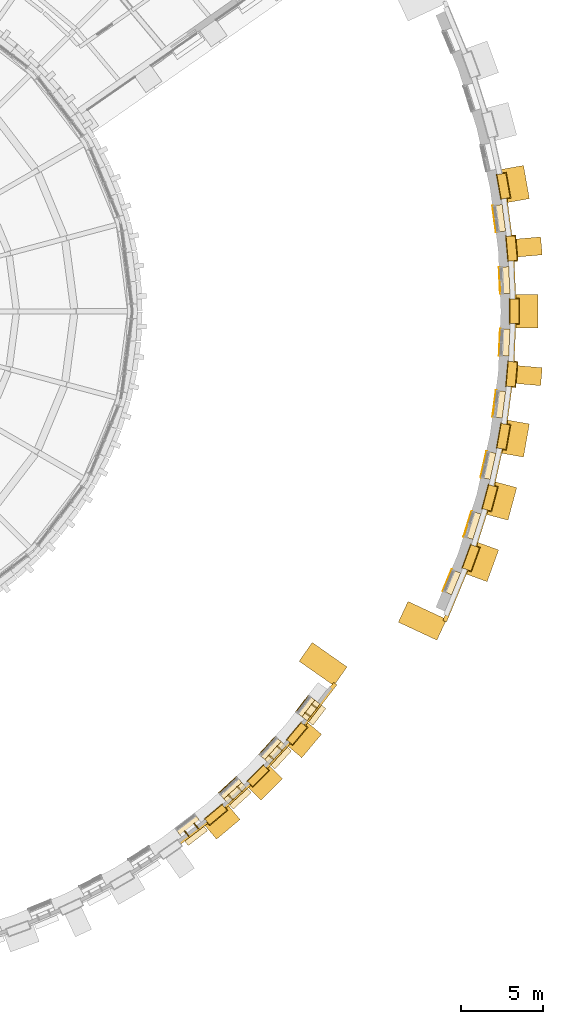
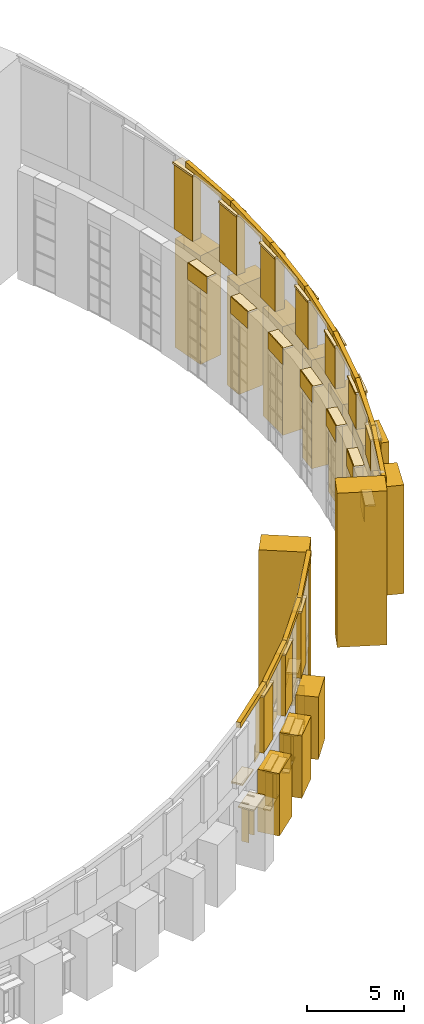
# One storey, part 71 of 82: 82 coverings.
"""IFC4 building model written with IfcOpenShell, lengths in metres."""

from ifc_helpers import new_model, si_unit, direction, frame, origin, origin_2d, place, context, subcontext, project, spatial, polyline, rectangle, outline, extrude, material, layer, layer_set, type_object, element, save


model = new_model("IFC4")

# Units and contexts
model_context = context("Model", 3, precision=1e-05, world=origin(), true_north=direction((0.0, 1.0)))
body_context = subcontext(model_context, "Body", "Model", "MODEL_VIEW")
ifc_project = project(units=[si_unit("LENGTHUNIT", "METRE"), si_unit("AREAUNIT", "SQUARE_METRE"), si_unit("VOLUMEUNIT", "CUBIC_METRE"), si_unit("PLANEANGLEUNIT", "RADIAN"), si_unit("MASSUNIT", "GRAM", prefix="KILO")], contexts=[model_context])

# Site, building, storey
site_placement = place(None, origin())
site = spatial("IfcSite", under=ifc_project, at=site_placement, CompositionType="ELEMENT")
building_placement = place(site_placement, origin())
building = spatial("IfcBuilding", under=site, at=building_placement, Name="Volute Hill Aquarium", CompositionType="ELEMENT")
storey_placement = place(building_placement, frame((0.0, 0.0, 13.800048828125)))
storey = spatial("IfcBuildingStorey", under=building, at=storey_placement, Name="L04", CompositionType="ELEMENT", Elevation=13.800048828125)

# Coverings
ifc_material_1 = material(Name="Precast concrete C40/50", Category="concrete")
covering_type_1 = type_object("IfcCoveringType", Name="Crown coping beam precast concrete C40/50 250x350", PredefinedType="CLADDING", material=ifc_material_1)
covering_1_placement = place(storey_placement, frame((23.0947265625, -32.972900390625, 8.21337890625), z_axis=(0.608722840707, -0.793382948645, 0.0), x_axis=(0.790637793813, 0.606616621446, 0.083115302927)))
element("IfcCovering", 1, at=covering_1_placement, inside=storey, type_object=covering_type_1, Name="Crown coping beam PCB S3 b06", PredefinedType="CLADDING", context=body_context, shape_type="SweptSolid", body=[
    extrude(outline(polyline([(0.0, 0.0), (3.5130977956807445, 0.0), (3.542196268433978, 0.348886296370569), (0.029098472753233424, 0.34888629637056895), (0.0, 0.0)])), origin(), (0.0, 0.0, -1.0), 0.25),
])
covering_2_placement = place(storey_placement, frame((25.880615234375, -30.834716796875, 8.50537109375), z_axis=(0.675648838997, -0.737223606758, 0.0), x_axis=(0.734672918988, 0.673311191078, 0.083112827385)))
element("IfcCovering", 2, at=covering_2_placement, inside=storey, type_object=covering_type_1, Name="Crown coping beam PCB S3 b07", PredefinedType="CLADDING", context=body_context, shape_type="SweptSolid", body=[
    extrude(outline(polyline([(0.0, 0.0), (3.513202434433606, -5.551115123125783e-17), (3.542300040505242, 0.3488863686540978), (0.029097606071635692, 0.34888636865409783), (0.0, 0.0)])), origin(), (0.0, 0.0, -1.0), 0.25),
])
covering_3_placement = place(storey_placement, frame((28.46923828125, -28.461669921875, 8.79736328125), z_axis=(0.73729017098, -0.67557620131, 0.0), x_axis=(0.673238824697, 0.734739274724, 0.083112472578)))
element("IfcCovering", 3, at=covering_3_placement, inside=storey, type_object=covering_type_1, Name="Crown coping beam PCB S3 b08", PredefinedType="CLADDING", context=body_context, shape_type="SweptSolid", body=[
    extrude(outline(polyline([(0.0, 0.0), (3.513217432258097, 0.0), (3.542294622981886, 0.3486430830731976), (0.029097481854789622, 0.34888637901393255), (0.0, 0.0)])), origin(), (0.0, 0.0, -1.0), 0.25),
])
covering_4_placement = place(storey_placement, frame((30.841552734375, -25.8720703125, 9.08935546875), z_axis=(0.793332823741, -0.608788165765, 0.0), x_axis=(0.606683661778, 0.790590372123, 0.083077060839)))
element("IfcCovering", 4, at=covering_4_placement, inside=storey, type_object=covering_type_1, Name="Crown coping beam PCB S3 beb", PredefinedType="CLADDING", context=body_context, shape_type="SweptSolid", body=[
    extrude(outline(polyline([(0.0, 0.0), (3.864423206984341, -5.551115123125783e-17), (3.893508291272279, 0.3488874127619205), (0.029064801802381204, 0.3486441161003013), (0.0, 0.0)])), origin(), (0.0, 0.0, -1.0), 0.25),
])
covering_5_placement = place(storey_placement, frame((41.4912109375, -15.095703125, 9.753173828125), z_axis=(0.953712266201, -0.300720656585, 0.0), x_axis=(0.299321345871, 0.949274460674, 0.096357304959)))
element("IfcCovering", 5, at=covering_5_placement, inside=storey, type_object=covering_type_1, Name="Crown coping beam PCB S4 b01", PredefinedType="CLADDING", context=body_context, shape_type="SweptSolid", body=[
    extrude(outline(polyline([(0.0, 0.0), (3.8588270192172422, -5.551115123125783e-17), (3.892561485845978, 0.3484685849155098), (0.033734466628735554, 0.3484685849155098), (0.0, 0.0)])), origin(), (0.0, 0.0, -1.0), 0.25),
])
covering_6_placement = place(storey_placement, frame((42.649169921875, -11.422119140625, 10.125), z_axis=(0.976296118921, -0.216439109638, 0.0), x_axis=(0.215430624988, 0.971747127518, 0.09642181277)))
element("IfcCovering", 6, at=covering_6_placement, inside=storey, type_object=covering_type_1, Name="Crown coping beam PCB S4 b02", PredefinedType="CLADDING", context=body_context, shape_type="SweptSolid", body=[
    extrude(outline(polyline([(0.0, 0.0), (3.858777405345246, 0.0), (3.892510915525829, 0.3482233948000459), (0.033757050662216306, 0.34846639786689865), (0.0, 0.0)])), origin(), (0.0, 0.0, -1.0), 0.25),
])
covering_7_placement = place(storey_placement, frame((43.482421875, -7.66162109375, 10.4970703125), z_axis=(0.991449102443, -0.130493974055, 0.0), x_axis=(0.129886785093, 0.986835885959, 0.096355369555)))
element("IfcCovering", 7, at=covering_7_placement, inside=storey, type_object=covering_type_1, Name="Crown coping beam PCB S4 b03", PredefinedType="CLADDING", context=body_context, shape_type="SweptSolid", body=[
    extrude(outline(polyline([(0.0, 0.0), (3.85890452803072, 5.551115123125783e-17), (3.89263831707895, 0.3484686505099027), (0.03371026478808461, 0.34822564587216914), (0.0, 0.0)])), origin(), (0.0, 0.0, -1.0), 0.25),
])
covering_8_placement = place(storey_placement, frame((43.984619140625, -3.842529296875, 10.868896484375), z_axis=(0.99904882823, -0.043605490626, 0.0), x_axis=(0.043402314989, 0.994393855212, 0.09642146945)))
element("IfcCovering", 8, at=covering_8_placement, inside=storey, type_object=covering_type_1, Name="Crown coping beam PCB S4 b04", PredefinedType="CLADDING", context=body_context, shape_type="SweptSolid", body=[
    extrude(outline(polyline([(0.0, 0.0), (3.85879114499166, 0.0), (3.892524535060404, 0.3482234064356417), (0.03375693046655849, 0.34846640951061425), (0.0, 0.0)])), origin(), (0.0, 0.0, -1.0), 0.25),
])
covering_9_placement = place(storey_placement, frame((44.152099609375, 0.00537109375, 11.240966796875), z_axis=(0.99904882823, 0.043605490626, 0.0), x_axis=(-0.043402579678, 0.994399919536, 0.096358788411)))
element("IfcCovering", 9, at=covering_9_placement, inside=storey, type_object=covering_type_1, Name="Crown coping beam PCB S4 b05", PredefinedType="CLADDING", context=body_context, shape_type="SweptSolid", body=[
    extrude(outline(polyline([(0.0, 0.0), (3.858767612245316, 0.0), (3.8925025982270456, 0.34846853463771404), (0.033711460886902536, 0.34822553008078394), (0.0, 0.0)])), origin(), (0.0, 0.0, -1.0), 0.25),
])
covering_10_placement = place(storey_placement, frame((43.983642578125, 3.853515625, 11.61279296875), z_axis=(0.991449102443, 0.130493974055, 0.0), x_axis=(-0.129885993037, 0.986829868191, 0.096418048412)))
element("IfcCovering", 10, at=covering_10_placement, inside=storey, type_object=covering_type_1, Name="Crown coping beam PCB S4 b06", PredefinedType="CLADDING", context=body_context, shape_type="SweptSolid", body=[
    extrude(outline(polyline([(0.0, 0.0), (3.8589280599421163, 5.551115123125783e-17), (3.8926602531485814, 0.34822352237701265), (0.03375573276906566, 0.3484665255328933), (0.0, 0.0)])), origin(), (0.0, 0.0, -1.0), 0.25),
])
covering_11_placement = place(storey_placement, frame((41.256591796875, -15.01025390625, 9.753173828125), z_axis=(-0.923888328569, 0.382662196114, 0.0), x_axis=(-0.380881293617, -0.919588570066, -0.096365460495)))
element("IfcCovering", 11, at=covering_11_placement, inside=storey, type_object=covering_type_1, Name="Crown coping beam PCB S4 bea", PredefinedType="CLADDING", context=body_context, shape_type="SweptSolid", body=[
    extrude(outline(polyline([(0.0, 0.0), (4.210655110928032, 0.0), (4.176941315789051, 0.3482253040956372), (-0.03373732186273442, 0.3484683084948665), (0.0, 0.0)])), origin(), (0.0, 0.0, -1.0), 0.25),
])
ifc_material_2 = material(Name="Aluminium, anodised", Category="aluminium")
ifc_layer_1 = layer(ifc_material_2, 0.080078125)
ifc_layer_set_1 = layer_set([ifc_layer_1], Name="Horizontal brise-soleil eyebrow 900x80")
covering_type_2 = type_object("IfcCoveringType", Name="Horizontal brise-soleil eyebrow 900x80", PredefinedType="CLADDING", material=ifc_layer_set_1)
for number, where, z_axis, x_axis, name in (
    (12, (24.418701171875, -31.8232421875, 2.405029296875), (0.0, 0.0, 1.0), (0.793365104798, 0.608746096898, 0.0), "Brise-soleil eyebrow BS S3 L04 7.1"),
    (13, (27.099365234375, -29.57373046875, 2.405029296875), (0.0, 0.0, 1.0), (0.737257204746, 0.675612177251, 0.0), "Brise-soleil eyebrow BS S3 L04 8.1"),
    (14, (29.57373046875, -27.099365234375, 2.417236328125), (0.0, 0.0, 1.0), (0.675612177251, 0.737257204746, 0.0), "Brise-soleil eyebrow BS S3 L04 9.1"),
):
    element("IfcCovering", number, at=place(storey_placement, frame(where, z_axis=z_axis, x_axis=x_axis)), inside=storey, type_object=covering_type_2, Name=name, PredefinedType="CLADDING", context=body_context, shape_type="SweptSolid", body=[
        extrude(rectangle(XDim=1.4892578125, YDim=0.89990234375, at=origin_2d()), origin(), (0.0, 0.0, 1.0), 0.080078125),
    ])
covering_12_placement = place(storey_placement, frame((31.76220703125, -24.498291015625, 2.4072265625), z_axis=(0.0, 0.0, 1.0), x_axis=(0.608746096898, 0.793365104798, 0.0)))
element("IfcCovering", 15, at=covering_12_placement, inside=storey, type_object=covering_type_2, Name="Brise-soleil eyebrow BS S3 L04 10.1", PredefinedType="CLADDING", context=body_context, shape_type="SweptSolid", body=[
    extrude(rectangle(XDim=1.2890625, YDim=0.89990234375, at=origin_2d()), origin(), (0.0, 0.0, 1.0), 0.080078125),
])
ifc_material_3 = material(Name="Precast concrete C40/50", Category="concrete")
ifc_layer_2 = layer(ifc_material_3, 0.10009765625)
ifc_layer_set_2 = layer_set([ifc_layer_2], Name="Niche cap precast concrete C40/50 100")
covering_type_3 = type_object("IfcCoveringType", Name="Niche cap precast concrete C40/50 100", PredefinedType="CLADDING", material=ifc_layer_set_2)
for number, where, z_axis, x_axis, name in (
    (16, (24.09912109375, -31.40673828125, 3.841796875), (0.0, 0.0, 1.0), (0.793365104798, 0.608746096898, 0.0), "Niche cap NC S3 L04 7"),
    (17, (26.74462890625, -29.186767578125, 3.841796875), (0.0, 0.0, 1.0), (0.737257204746, 0.675612177251, 0.0), "Niche cap NC S3 L04 8"),
    (18, (29.186767578125, -26.744873046875, 3.841796875), (0.0, 0.0, 1.0), (0.675612177251, 0.737257204746, 0.0), "Niche cap NC S3 L04 9"),
):
    element("IfcCovering", number, at=place(storey_placement, frame(where, z_axis=z_axis, x_axis=x_axis)), inside=storey, type_object=covering_type_3, Name=name, PredefinedType="CLADDING", context=body_context, shape_type="SweptSolid", body=[
        extrude(rectangle(XDim=1.4892578125, YDim=0.64990234375, at=origin_2d()), origin(), (0.0, 0.0, 1.0), 0.10009765625),
    ])
covering_13_placement = place(storey_placement, frame((31.345703125, -24.1787109375, 3.841796875), z_axis=(0.0, 0.0, 1.0), x_axis=(0.608746096898, 0.793365104798, 0.0)))
element("IfcCovering", 19, at=covering_13_placement, inside=storey, type_object=covering_type_3, Name="Niche cap NC S3 L04 10", PredefinedType="CLADDING", context=body_context, shape_type="SweptSolid", body=[
    extrude(rectangle(XDim=1.2890625, YDim=0.64990234375, at=origin_2d()), origin(), (0.0, 0.0, 1.0), 0.10009765625),
])
covering_14_placement = place(storey_placement, frame((40.211669921875, -16.5478515625, 6.76123046875), z_axis=(0.0, 0.0, 1.0), x_axis=(0.382695820162, 0.923874401221, 0.0)))
element("IfcCovering", 20, at=covering_14_placement, inside=storey, type_object=covering_type_3, Name="Niche cap NC S4 L04 1", PredefinedType="CLADDING", context=body_context, shape_type="SweptSolid", body=[
    extrude(rectangle(XDim=1.437255859375, YDim=0.550048828125, at=origin_2d()), origin(), (0.0, 0.0, 1.0), 0.10009765625),
])
for number, where, z_axis, x_axis, name in (
    (21, (41.470947265625, -13.07568359375, 6.76123046875), (0.0, 0.0, 1.0), (0.300712819287, 0.953714737391, 0.0), "Niche cap NC S4 L04 2"),
    (22, (42.45263671875, -9.41162109375, 6.76123046875), (0.0, 0.0, 1.0), (0.216435504842, 0.976296918076, 0.0), "Niche cap NC S4 L04 3"),
    (23, (43.111572265625, -5.67578125, 6.76123046875), (0.0, 0.0, 1.0), (0.130515650214, 0.991446249198, 0.0), "Niche cap NC S4 L04 4"),
    (24, (43.442138671875, -1.896728515625, 6.76123046875), (0.0, 0.0, 1.0), (0.04361956426, 0.999048213858, 0.0), "Niche cap NC S4 L04 5"),
    (25, (43.442138671875, 1.896728515625, 6.76123046875), (0.0, 0.0, 1.0), (-0.04361956426, 0.999048213858, 0.0), "Niche cap NC S4 L04 6"),
    (26, (43.111572265625, 5.67578125, 6.76123046875), (0.0, 0.0, 1.0), (-0.130515650214, 0.991446249198, 0.0), "Niche cap NC S4 L04 7"),
):
    element("IfcCovering", number, at=place(storey_placement, frame(where, z_axis=z_axis, x_axis=x_axis)), inside=storey, type_object=covering_type_3, Name=name, PredefinedType="CLADDING", context=body_context, shape_type="SweptSolid", body=[
        extrude(rectangle(XDim=1.637451171875, YDim=0.550048828125, at=origin_2d()), origin(), (0.0, 0.0, 1.0), 0.10009765625),
    ])
ifc_material_4 = material(Name="Zinc")
ifc_layer_3 = layer(ifc_material_4, 0.050048828125)
ifc_layer_set_3 = layer_set([ifc_layer_3], Name="Niche head cladding panel 50")
covering_type_4 = type_object("IfcCoveringType", Name="Niche head cladding panel 50", PredefinedType="CLADDING", material=ifc_layer_set_3)
covering_15_placement = place(storey_placement, frame((26.50830078125, -28.9287109375, 2.89501953125), z_axis=(0.0, 0.0, 1.0), x_axis=(0.737257204746, 0.675612177251, 0.0)))
element("IfcCovering", 27, at=covering_15_placement, inside=storey, type_object=covering_type_4, Name="Niche head cladding NF S3 L04 8", PredefinedType="CLADDING", context=body_context, shape_type="SweptSolid", body=[
    extrude(rectangle(XDim=1.4892578125, YDim=0.050048828125, at=origin_2d()), origin(), (0.0, 0.0, 1.0), 1.046875),
])
covering_16_placement = place(storey_placement, frame((28.9287109375, -26.50830078125, 2.9072265625), z_axis=(0.0, 0.0, 1.0), x_axis=(0.675612177251, 0.737257204746, 0.0)))
element("IfcCovering", 28, at=covering_16_placement, inside=storey, type_object=covering_type_4, Name="Niche head cladding NF S3 L04 9", PredefinedType="CLADDING", context=body_context, shape_type="SweptSolid", body=[
    extrude(rectangle(XDim=1.4892578125, YDim=0.050048828125, at=origin_2d()), origin(), (0.0, 0.0, 1.0), 1.034423828125),
])
covering_17_placement = place(storey_placement, frame((31.068115234375, -23.965576171875, 2.89697265625), z_axis=(0.0, 0.0, 1.0), x_axis=(0.608746096898, 0.793365104798, 0.0)))
element("IfcCovering", 29, at=covering_17_placement, inside=storey, type_object=covering_type_4, Name="Niche head cladding NF S3 L04 10", PredefinedType="CLADDING", context=body_context, shape_type="SweptSolid", body=[
    extrude(rectangle(XDim=1.2890625, YDim=0.050048828125, at=origin_2d()), origin(), (0.0, 0.0, 1.0), 1.044677734375),
])
covering_18_placement = place(storey_placement, frame((39.9345703125, -16.43310546875, 5.8125), z_axis=(0.0, 0.0, 1.0), x_axis=(0.382695820162, 0.923874401221, 0.0)))
element("IfcCovering", 30, at=covering_18_placement, inside=storey, type_object=covering_type_4, Name="Niche head cladding NF S4 L04 1", PredefinedType="CLADDING", context=body_context, shape_type="SweptSolid", body=[
    extrude(rectangle(XDim=1.437255859375, YDim=0.050048828125, at=origin_2d()), origin(), (0.0, 0.0, 1.0), 1.048583984375),
])
for number, where, z_axis, x_axis, name in (
    (31, (41.184814453125, -12.985595703125, 5.810302734375), (0.0, 0.0, 1.0), (0.300712819287, 0.953714737391, 0.0), "Niche head cladding NF S4 L04 2"),
    (32, (42.159912109375, -9.3466796875, 5.810302734375), (0.0, 0.0, 1.0), (0.216435504842, 0.976296918076, 0.0), "Niche head cladding NF S4 L04 3"),
    (33, (42.81396484375, -5.636474609375, 5.810302734375), (0.0, 0.0, 1.0), (0.130515650214, 0.991446249198, 0.0), "Niche head cladding NF S4 L04 4"),
    (34, (43.142333984375, -1.883544921875, 5.810302734375), (0.0, 0.0, 1.0), (0.04361956426, 0.999048213858, 0.0), "Niche head cladding NF S4 L04 5"),
    (35, (43.142333984375, 1.883544921875, 5.810302734375), (0.0, 0.0, 1.0), (-0.04361956426, 0.999048213858, 0.0), "Niche head cladding NF S4 L04 6"),
    (36, (42.81396484375, 5.636474609375, 5.810302734375), (0.0, 0.0, 1.0), (-0.130515650214, 0.991446249198, 0.0), "Niche head cladding NF S4 L04 7"),
):
    element("IfcCovering", number, at=place(storey_placement, frame(where, z_axis=z_axis, x_axis=x_axis)), inside=storey, type_object=covering_type_4, Name=name, PredefinedType="CLADDING", context=body_context, shape_type="SweptSolid", body=[
        extrude(rectangle(XDim=1.637451171875, YDim=0.050048828125, at=origin_2d()), origin(), (0.0, 0.0, 1.0), 1.05078125),
    ])
ifc_material_5 = material(Name="Precast concrete C40/50", Category="concrete")
ifc_layer_4 = layer(ifc_material_5, 0.1201171875)
ifc_layer_set_4 = layer_set([ifc_layer_4], Name="Pier crown coping precast concrete C40/50 1482x550")
covering_type_5 = type_object("IfcCoveringType", Name="Pier crown coping precast concrete C40/50 1482x550", PredefinedType="CLADDING", material=ifc_layer_set_4)
for number, where, z_axis, x_axis, name in (
    (37, (25.796142578125, -30.74267578125, 8.38525390625), (0.0, 0.0, 1.0), (0.766044443119, 0.642787609687, 0.0), "Pier crown coping PCC S3 7"),
    (38, (28.377197265625, -28.377197265625, 8.67724609375), (0.0, 0.0, 1.0), (0.707106781187, 0.707106781187, 0.0), "Pier crown coping PCC S3 8"),
    (39, (30.742431640625, -25.7958984375, 8.96923828125), (0.0, 0.0, 1.0), (0.642787609687, 0.766044443119, 0.0), "Pier crown coping PCC S3 9"),
):
    element("IfcCovering", number, at=place(storey_placement, frame(where, z_axis=z_axis, x_axis=x_axis)), inside=storey, type_object=covering_type_5, Name=name, PredefinedType="CLADDING", context=body_context, shape_type="SweptSolid", body=[
        extrude(rectangle(XDim=1.48193359375, YDim=0.550048828125, at=origin_2d()), origin(), (0.0, 0.0, 1.0), 0.1201171875),
    ])
ifc_material_6 = material(Name="Precast concrete C40/50", Category="concrete")
ifc_layer_5 = layer(ifc_material_6, 0.1201171875)
ifc_layer_set_5 = layer_set([ifc_layer_5], Name="Pier crown coping precast concrete C40/50 1619x650")
covering_type_6 = type_object("IfcCoveringType", Name="Pier crown coping precast concrete C40/50 1619x650", PredefinedType="CLADDING", material=ifc_layer_set_5)
for number, where, z_axis, x_axis, name in (
    (40, (41.3720703125, -15.05810546875, 9.633056640625), (0.0, 0.0, 1.0), (0.342020143326, 0.939692620786, 0.0), "Pier crown coping PCC S4 1"),
    (41, (42.527099609375, -11.39501953125, 10.005126953125), (0.0, 0.0, 1.0), (0.258819045103, 0.965925826289, 0.0), "Pier crown coping PCC S4 2"),
    (42, (43.3583984375, -7.645263671875, 10.376953125), (0.0, 0.0, 1.0), (0.173648177667, 0.984807753012, 0.0), "Pier crown coping PCC S4 3"),
    (43, (43.859619140625, -3.837158203125, 10.7490234375), (0.0, 0.0, 1.0), (0.087155742748, 0.996194698092, 0.0), "Pier crown coping PCC S4 4"),
    (44, (44.027099609375, 0.0, 11.120849609375), (0.0, 0.0, 1.0), (0.0, 1.0, 0.0), "Pier crown coping PCC S4 5"),
    (45, (43.859619140625, 3.837158203125, 11.49267578125), (0.0, 0.0, 1.0), (-0.087155742748, 0.996194698092, 0.0), "Pier crown coping PCC S4 6"),
    (46, (43.3583984375, 7.645263671875, 11.86474609375), (0.0, 0.0, 1.0), (-0.173648177667, 0.984807753012, 0.0), "Pier crown coping PCC S4 7"),
):
    element("IfcCovering", number, at=place(storey_placement, frame(where, z_axis=z_axis, x_axis=x_axis)), inside=storey, type_object=covering_type_6, Name=name, PredefinedType="CLADDING", context=body_context, shape_type="SweptSolid", body=[
        extrude(rectangle(XDim=1.619384765625, YDim=0.64990234375, at=origin_2d()), origin(), (0.0, 0.0, 1.0), 0.1201171875),
    ])
ifc_material_7 = material(Name="Precast concrete C40/50", Category="concrete")
covering_type_7 = type_object("IfcCoveringType", Name="Pier crown fin precast concrete C40/50 1382x450", PredefinedType="CLADDING", material=ifc_material_7)
covering_19_placement = place(storey_placement, frame((25.796142578125, -30.74267578125, 4.841796875), z_axis=(0.0, 0.0, 1.0), x_axis=(0.766044443119, 0.642787609687, 0.0)))
element("IfcCovering", 47, at=covering_19_placement, inside=storey, type_object=covering_type_7, Name="Pier crown fin PC S3 7", PredefinedType="CLADDING", context=body_context, shape_type="SweptSolid", body=[
    extrude(rectangle(XDim=1.3818359375, YDim=0.449951171875, at=origin_2d()), origin(), (0.0, 0.0, 1.0), 3.543701171875),
])
covering_20_placement = place(storey_placement, frame((28.377197265625, -28.377197265625, 4.841796875), z_axis=(0.0, 0.0, 1.0), x_axis=(0.707106781187, 0.707106781187, 0.0)))
element("IfcCovering", 48, at=covering_20_placement, inside=storey, type_object=covering_type_7, Name="Pier crown fin PC S3 8", PredefinedType="CLADDING", context=body_context, shape_type="SweptSolid", body=[
    extrude(rectangle(XDim=1.3818359375, YDim=0.449951171875, at=origin_2d()), origin(), (0.0, 0.0, 1.0), 3.83544921875),
])
covering_21_placement = place(storey_placement, frame((30.742431640625, -25.7958984375, 4.841796875), z_axis=(0.0, 0.0, 1.0), x_axis=(0.642787609687, 0.766044443119, 0.0)))
element("IfcCovering", 49, at=covering_21_placement, inside=storey, type_object=covering_type_7, Name="Pier crown fin PC S3 9", PredefinedType="CLADDING", context=body_context, shape_type="SweptSolid", body=[
    extrude(rectangle(XDim=1.3818359375, YDim=0.449951171875, at=origin_2d()), origin(), (0.0, 0.0, 1.0), 4.12744140625),
])
ifc_material_8 = material(Name="Precast concrete C40/50", Category="concrete")
covering_type_8 = type_object("IfcCoveringType", Name="Pier crown fin precast concrete C40/50 1519x550", PredefinedType="CLADDING", material=ifc_material_8)
covering_22_placement = place(storey_placement, frame((41.3720703125, -15.05810546875, 7.76123046875), z_axis=(0.0, 0.0, 1.0), x_axis=(0.342020143326, 0.939692620786, 0.0)))
element("IfcCovering", 50, at=covering_22_placement, inside=storey, type_object=covering_type_8, Name="Pier crown fin PC S4 1", PredefinedType="CLADDING", context=body_context, shape_type="SweptSolid", body=[
    extrude(rectangle(XDim=1.519287109375, YDim=0.550048828125, at=origin_2d()), origin(), (0.0, 0.0, 1.0), 1.871826171875),
])
covering_23_placement = place(storey_placement, frame((42.527099609375, -11.39501953125, 7.76123046875), z_axis=(0.0, 0.0, 1.0), x_axis=(0.258819045103, 0.965925826289, 0.0)))
element("IfcCovering", 51, at=covering_23_placement, inside=storey, type_object=covering_type_8, Name="Pier crown fin PC S4 2", PredefinedType="CLADDING", context=body_context, shape_type="SweptSolid", body=[
    extrude(rectangle(XDim=1.519287109375, YDim=0.550048828125, at=origin_2d()), origin(), (0.0, 0.0, 1.0), 2.243896484375),
])
covering_24_placement = place(storey_placement, frame((43.3583984375, -7.645263671875, 7.76123046875), z_axis=(0.0, 0.0, 1.0), x_axis=(0.173648177667, 0.984807753012, 0.0)))
element("IfcCovering", 52, at=covering_24_placement, inside=storey, type_object=covering_type_8, Name="Pier crown fin PC S4 3", PredefinedType="CLADDING", context=body_context, shape_type="SweptSolid", body=[
    extrude(rectangle(XDim=1.519287109375, YDim=0.550048828125, at=origin_2d()), origin(), (0.0, 0.0, 1.0), 2.61572265625),
])
covering_25_placement = place(storey_placement, frame((43.859619140625, -3.837158203125, 7.76123046875), z_axis=(0.0, 0.0, 1.0), x_axis=(0.087155742748, 0.996194698092, 0.0)))
element("IfcCovering", 53, at=covering_25_placement, inside=storey, type_object=covering_type_8, Name="Pier crown fin PC S4 4", PredefinedType="CLADDING", context=body_context, shape_type="SweptSolid", body=[
    extrude(rectangle(XDim=1.519287109375, YDim=0.550048828125, at=origin_2d()), origin(), (0.0, 0.0, 1.0), 2.98779296875),
])
covering_26_placement = place(storey_placement, frame((44.027099609375, 0.0, 7.76123046875), z_axis=(0.0, 0.0, 1.0), x_axis=(0.0, 1.0, 0.0)))
element("IfcCovering", 54, at=covering_26_placement, inside=storey, type_object=covering_type_8, Name="Pier crown fin PC S4 5", PredefinedType="CLADDING", context=body_context, shape_type="SweptSolid", body=[
    extrude(rectangle(XDim=1.519287109375, YDim=0.550048828125, at=origin_2d()), origin(), (0.0, 0.0, 1.0), 3.359619140625),
])
covering_27_placement = place(storey_placement, frame((43.859619140625, 3.837158203125, 7.76123046875), z_axis=(0.0, 0.0, 1.0), x_axis=(-0.087155742748, 0.996194698092, 0.0)))
element("IfcCovering", 55, at=covering_27_placement, inside=storey, type_object=covering_type_8, Name="Pier crown fin PC S4 6", PredefinedType="CLADDING", context=body_context, shape_type="SweptSolid", body=[
    extrude(rectangle(XDim=1.519287109375, YDim=0.550048828125, at=origin_2d()), origin(), (0.0, 0.0, 1.0), 3.731689453125),
])
covering_28_placement = place(storey_placement, frame((43.3583984375, 7.645263671875, 7.76123046875), z_axis=(0.0, 0.0, 1.0), x_axis=(-0.173648177667, 0.984807753012, 0.0)))
element("IfcCovering", 56, at=covering_28_placement, inside=storey, type_object=covering_type_8, Name="Pier crown fin PC S4 7", PredefinedType="CLADDING", context=body_context, shape_type="SweptSolid", body=[
    extrude(rectangle(XDim=1.519287109375, YDim=0.550048828125, at=origin_2d()), origin(), (0.0, 0.0, 1.0), 4.103515625),
])
ifc_material_9 = material(Name="Precast concrete C40/50", Category="concrete")
covering_type_9 = type_object("IfcCoveringType", Name="Projecting pier precast concrete C40/50 1100x1800", PredefinedType="CLADDING", material=ifc_material_9)
for number, where, z_axis, x_axis, name in (
    (57, (44.78125, -3.917724609375, 0.0), (0.0, 0.0, 1.0), (0.087155742748, 0.996194698092, 0.0), "Projecting pier PP S4 L04 4"),
    (58, (44.78125, 3.917724609375, 0.0), (0.0, 0.0, 1.0), (-0.087155742748, 0.996194698092, 0.0), "Projecting pier PP S4 L04 6"),
):
    element("IfcCovering", number, at=place(storey_placement, frame(where, z_axis=z_axis, x_axis=x_axis)), inside=storey, type_object=covering_type_9, Name=name, PredefinedType="CLADDING", context=body_context, shape_type="SweptSolid", body=[
        extrude(rectangle(XDim=1.10009765625, YDim=1.800048828125, at=origin_2d()), origin(), (0.0, 0.0, 1.0), 6.861328125),
    ])
ifc_material_10 = material(Name="Precast concrete C40/50", Category="concrete")
covering_type_10 = type_object("IfcCoveringType", Name="Projecting pier precast concrete C40/50 1875x1200", PredefinedType="CLADDING", material=ifc_material_10)
for number, where, z_axis, x_axis, name in (
    (59, (26.165771484375, -31.18310546875, 0.0), (0.0, 0.0, 1.0), (0.766044443119, 0.642787609687, 0.0), "Projecting pier PP S3 L04 7"),
    (60, (28.78369140625, -28.78369140625, 0.0), (0.0, 0.0, 1.0), (0.707106781187, 0.707106781187, 0.0), "Projecting pier PP S3 L04 8"),
    (61, (31.18310546875, -26.165771484375, 0.0), (0.0, 0.0, 1.0), (0.642787609687, 0.766044443119, 0.0), "Projecting pier PP S3 L04 9"),
):
    element("IfcCovering", number, at=place(storey_placement, frame(where, z_axis=z_axis, x_axis=x_axis)), inside=storey, type_object=covering_type_10, Name=name, PredefinedType="CLADDING", context=body_context, shape_type="SweptSolid", body=[
        extrude(rectangle(XDim=1.87548828125, YDim=1.199951171875, at=origin_2d()), origin(), (0.0, 0.0, 1.0), 3.94189453125),
    ])
ifc_material_11 = material(Name="Precast concrete C40/50", Category="concrete")
covering_type_11 = type_object("IfcCoveringType", Name="Projecting pier precast concrete C40/50 2062x1400", PredefinedType="CLADDING", material=ifc_material_11)
for number, where, z_axis, x_axis, name in (
    (62, (42.05322265625, -15.30615234375, 0.0), (0.0, 0.0, 1.0), (0.342020143326, 0.939692620786, 0.0), "Projecting pier PP S4 L04 1"),
    (63, (43.227294921875, -11.582763671875, 0.0), (0.0, 0.0, 1.0), (0.258819045103, 0.965925826289, 0.0), "Projecting pier PP S4 L04 2"),
    (64, (44.072509765625, -7.77099609375, 0.0), (0.0, 0.0, 1.0), (0.173648177667, 0.984807753012, 0.0), "Projecting pier PP S4 L04 3"),
    (65, (44.752197265625, 0.0, 0.0), (0.0, 0.0, 1.0), (0.0, 1.0, 0.0), "Projecting pier PP S4 L04 5"),
    (66, (44.072509765625, 7.77099609375, 0.0), (0.0, 0.0, 1.0), (-0.173648177667, 0.984807753012, 0.0), "Projecting pier PP S4 L04 7"),
):
    element("IfcCovering", number, at=place(storey_placement, frame(where, z_axis=z_axis, x_axis=x_axis)), inside=storey, type_object=covering_type_11, Name=name, PredefinedType="CLADDING", context=body_context, shape_type="SweptSolid", body=[
        extrude(rectangle(XDim=2.06201171875, YDim=1.39990234375, at=origin_2d()), origin(), (0.0, 0.0, 1.0), 6.861328125),
    ])
ifc_material_12 = material(Name="Precast concrete C40/50", Category="concrete")
covering_type_12 = type_object("IfcCoveringType", Name="Step pylon precast concrete C40/50 1400x2600", PredefinedType="CLADDING", material=ifc_material_12)
for number, where, z_axis, x_axis, name in (
    (67, (32.34033203125, -21.546142578125, 0.0), (0.0, 0.0, 1.0), (0.819152044289, -0.573576436351, 0.0), "Step pylon SPY S3B L04"),
    (68, (38.40966796875, -18.90380859375, 0.0), (0.0, 0.0, 1.0), (0.906307787037, -0.422618261741, 0.0), "Step pylon SPY S4A L04"),
):
    element("IfcCovering", number, at=place(storey_placement, frame(where, z_axis=z_axis, x_axis=x_axis)), inside=storey, type_object=covering_type_12, Name=name, PredefinedType="CLADDING", context=body_context, shape_type="SweptSolid", body=[
        extrude(rectangle(XDim=2.60009765625, YDim=1.39990234375, at=origin_2d()), origin(), (0.0, 0.0, 1.0), 9.731201171875),
    ])
ifc_material_13 = material(Name="Timber, thermally modified ash", Category="wood")
covering_type_13 = type_object("IfcCoveringType", Name="Timber louvre fin 60x400", PredefinedType="CLADDING", material=ifc_material_13)
for number, where, z_axis, x_axis, name in (
    (69, (24.001708984375, -31.89111328125, 0.079833984375), (0.0, 0.0, 1.0), (0.793365104798, 0.608746096898, 0.0), "Timber louvre fin S3 L04 7.1.1"),
    (70, (24.592529296875, -31.437744140625, 0.079833984375), (0.0, 0.0, 1.0), (0.793365104798, 0.608746096898, 0.0), "Timber louvre fin S3 L04 7.1.2"),
    (71, (26.689697265625, -29.677978515625, 0.079833984375), (0.0, 0.0, 1.0), (0.737257204746, 0.675612177251, 0.0), "Timber louvre fin S3 L04 8.1.1"),
    (72, (27.23876953125, -29.1748046875, 0.079833984375), (0.0, 0.0, 1.0), (0.737257204746, 0.675612177251, 0.0), "Timber louvre fin S3 L04 8.1.2"),
):
    element("IfcCovering", number, at=place(storey_placement, frame(where, z_axis=z_axis, x_axis=x_axis)), inside=storey, type_object=covering_type_13, Name=name, PredefinedType="CLADDING", context=body_context, shape_type="SweptSolid", body=[
        extrude(rectangle(XDim=0.06005859375, YDim=0.39990234375, at=origin_2d()), origin(), (0.0, 0.0, 1.0), 2.43505859375),
    ])
for number, where, z_axis, x_axis, name in (
    (73, (29.1748046875, -27.23876953125, 0.080078125), (0.0, 0.0, 1.0), (0.675612177251, 0.737257204746, 0.0), "Timber louvre fin S3 L04 9.1.1"),
    (74, (29.677978515625, -26.68994140625, 0.080078125), (0.0, 0.0, 1.0), (0.675612177251, 0.737257204746, 0.0), "Timber louvre fin S3 L04 9.1.2"),
):
    element("IfcCovering", number, at=place(storey_placement, frame(where, z_axis=z_axis, x_axis=x_axis)), inside=storey, type_object=covering_type_13, Name=name, PredefinedType="CLADDING", context=body_context, shape_type="SweptSolid", body=[
        extrude(rectangle(XDim=0.06005859375, YDim=0.39990234375, at=origin_2d()), origin(), (0.0, 0.0, 1.0), 2.447509765625),
    ])
for number, where, z_axis, x_axis, name in (
    (75, (31.407470703125, -24.632080078125, 0.080078125), (0.0, 0.0, 1.0), (0.608746096898, 0.793365104798, 0.0), "Timber louvre fin S3 L04 10.1.1"),
    (76, (31.7998046875, -24.120849609375, 0.080078125), (0.0, 0.0, 1.0), (0.608746096898, 0.793365104798, 0.0), "Timber louvre fin S3 L04 10.1.2"),
):
    element("IfcCovering", number, at=place(storey_placement, frame(where, z_axis=z_axis, x_axis=x_axis)), inside=storey, type_object=covering_type_13, Name=name, PredefinedType="CLADDING", context=body_context, shape_type="SweptSolid", body=[
        extrude(rectangle(XDim=0.06005859375, YDim=0.39990234375, at=origin_2d()), origin(), (0.0, 0.0, 1.0), 2.437255859375),
    ])
ifc_material_14 = material(Name="Timber, thermally modified ash", Category="wood")
covering_type_14 = type_object("IfcCoveringType", Name="Timber louvre fin rail 400x80", PredefinedType="CLADDING", material=ifc_material_14)
for number, where, z_axis, x_axis, name in (
    (77, (26.96435546875, -29.426513671875, 0.0), (0.0, 0.0, 1.0), (0.737257204746, 0.675612177251, 0.0), "Timber louvre fin rail S3 L04 8.1"),
    (78, (26.96435546875, -29.426513671875, 2.514892578125), (0.0, 0.0, 1.0), (0.737257204746, 0.675612177251, 0.0), "Timber louvre fin rail S3 L04 8.2"),
    (79, (29.42626953125, -26.96435546875, 0.0), (0.0, 0.0, 1.0), (0.675612177251, 0.737257204746, 0.0), "Timber louvre fin rail S3 L04 9.1"),
    (80, (29.42626953125, -26.96435546875, 2.52734375), (0.0, 0.0, 1.0), (0.675612177251, 0.737257204746, 0.0), "Timber louvre fin rail S3 L04 9.2"),
):
    element("IfcCovering", number, at=place(storey_placement, frame(where, z_axis=z_axis, x_axis=x_axis)), inside=storey, type_object=covering_type_14, Name=name, PredefinedType="CLADDING", context=body_context, shape_type="SweptSolid", body=[
        extrude(rectangle(XDim=1.4892578125, YDim=0.39990234375, at=origin_2d()), origin(), (0.0, 0.0, 1.0), 0.080078125),
    ])
for number, where, z_axis, x_axis, name in (
    (81, (31.603515625, -24.37646484375, 0.0), (0.0, 0.0, 1.0), (0.608746096898, 0.793365104798, 0.0), "Timber louvre fin rail S3 L04 10.1"),
    (82, (31.603515625, -24.37646484375, 2.51708984375), (0.0, 0.0, 1.0), (0.608746096898, 0.793365104798, 0.0), "Timber louvre fin rail S3 L04 10.2"),
):
    element("IfcCovering", number, at=place(storey_placement, frame(where, z_axis=z_axis, x_axis=x_axis)), inside=storey, type_object=covering_type_14, Name=name, PredefinedType="CLADDING", context=body_context, shape_type="SweptSolid", body=[
        extrude(rectangle(XDim=1.2890625, YDim=0.39990234375, at=origin_2d()), origin(), (0.0, 0.0, 1.0), 0.080078125),
    ])

save(model, "model.ifc")
